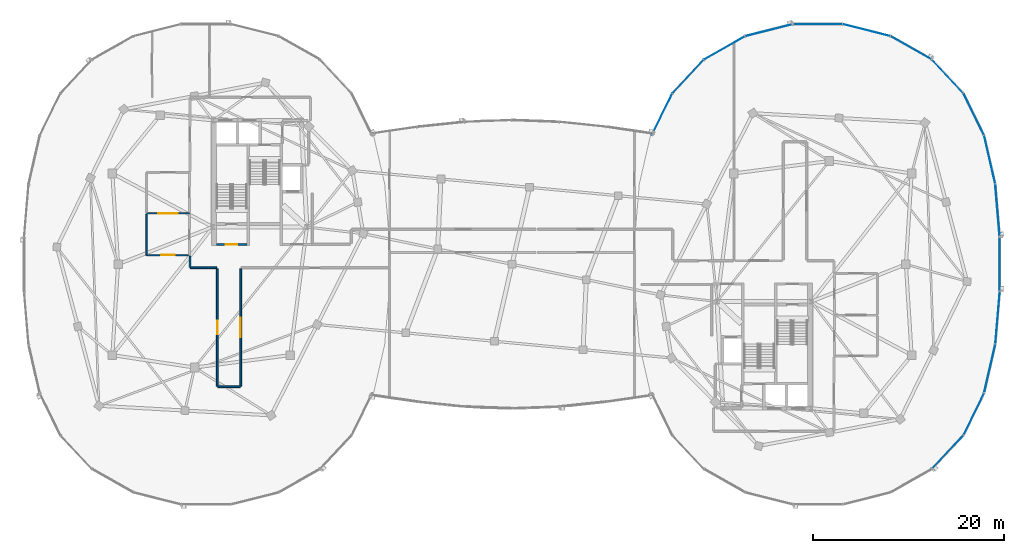
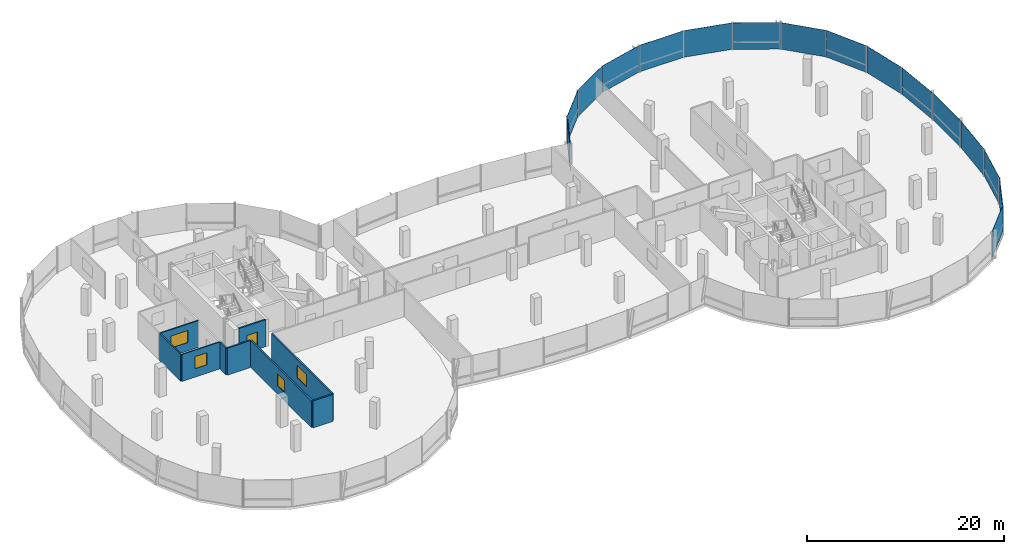
# One storey, part 13 of 25: 16 plates, 9 walls, 4 windows, 1 door, 5 openings, 3 elements without a shape of their own.
"""IFC4 building model written with IfcOpenShell, lengths in metres."""

from ifc_helpers import new_model, si_unit, direction, frame, frame_2d, origin, origin_2d, place, context, subcontext, project, spatial, rectangle, extrude, material, layer, layer_set, type_object, element, fill, aggregate, save


model = new_model("IFC4")

# Units and contexts
model_context = context("Model", 3, precision=1e-05, world=origin(), true_north=direction((0.0, 1.0)))
body_context = subcontext(model_context, "Body", "Model", "MODEL_VIEW")
ifc_project = project(units=[si_unit("LENGTHUNIT", "METRE"), si_unit("AREAUNIT", "SQUARE_METRE"), si_unit("VOLUMEUNIT", "CUBIC_METRE"), si_unit("PLANEANGLEUNIT", "RADIAN"), si_unit("MASSUNIT", "GRAM", prefix="KILO"), si_unit("THERMODYNAMICTEMPERATUREUNIT", "KELVIN"), si_unit("POWERUNIT", "WATT")], contexts=[model_context])

# Site, building, storey
site_placement = place(None, origin())
site = spatial("IfcSite", under=ifc_project, at=site_placement, CompositionType="ELEMENT")
building_placement = place(site_placement, origin())
building = spatial("IfcBuilding", under=site, at=building_placement, Name="Cundina Bronze Exchange", CompositionType="ELEMENT")
storey_placement = place(building_placement, frame((0.0, 0.0, 272.0)))
storey = spatial("IfcBuildingStorey", under=building, at=storey_placement, Name="L72", CompositionType="ELEMENT", Elevation=272.0)

# Curtain wall, plates
ifc_material_1 = material(Name="Anodised Bronze Aluminium 6063-T6", Category="aluminium")
curtain_wall_type = type_object("IfcCurtainWallType", Name="CWS-SKG-BRG", PredefinedType="NOTDEFINED", material=ifc_material_1)
curtain_wall_1_placement = place(storey_placement, origin())
curtain_wall_1 = element("IfcCurtainWall", 1, at=curtain_wall_1_placement, inside=storey, type_object=curtain_wall_type, Name="L72 CW-06 Curtain Wall Run CWR-L72-E1", PredefinedType="NOTDEFINED")
ifc_material_2 = material(Name="Heat-Strengthened Solar-Control Bronze Safety Glass 28mm", Category="glass")
ifc_layer_1 = layer(ifc_material_2, 0.028076171875, Name="Heat-Strengthened Solar-Control Bronze Safety Glass 28mm", Category="glass")
ifc_layer_set_1 = layer_set([ifc_layer_1], Name="Heat-Strengthened Solar-Control Bronze Safety Glass 28mm")
plate_type_1 = type_object("IfcPlateType", Name="PLT-GLZ-VIS28", PredefinedType="CURTAIN_PANEL", material=ifc_layer_set_1)
plate_1_placement = place(storey_placement, frame((50.78662109375, 5.605712890625, 0.02001953125), z_axis=(0.0, 0.0, 1.0), x_axis=(-0.083747411454, 0.996487015006, 0.0)))
plate_1 = element("IfcPlate", 2, at=plate_1_placement, type_object=plate_type_1, Name="CW-06 Glazed Panel 1", PredefinedType="CURTAIN_PANEL", context=body_context, shape_type="SweptSolid", body=[
    extrude(rectangle(XDim=5.474609375, YDim=0.028076171875, at=origin_2d()), origin(), (0.0, 0.0, 1.0), 3.300048828125),
])
plate_2_placement = place(storey_placement, frame((49.96923828125, 10.922607421875, 0.02001953125), z_axis=(0.0, 0.0, 1.0), x_axis=(-0.223284141459, 0.974753400698, 0.0)))
plate_2 = element("IfcPlate", 3, at=plate_2_placement, type_object=plate_type_1, Name="CW-06 Glazed Panel 2", PredefinedType="CURTAIN_PANEL", context=body_context, shape_type="SweptSolid", body=[
    extrude(rectangle(XDim=5.167724609375, YDim=0.028076171875, at=origin_2d()), origin(), (0.0, 0.0, 1.0), 3.300048828125),
])
plate_3_placement = place(storey_placement, frame((45.568115234375, 19.64501953125, 0.02001953125), z_axis=(0.0, 0.0, 1.0), x_axis=(-0.684343512797, 0.72915976061, 0.0)))
plate_3 = element("IfcPlate", 4, at=plate_3_placement, type_object=plate_type_1, Name="CW-06 Glazed Panel 4", PredefinedType="CURTAIN_PANEL", context=body_context, shape_type="SweptSolid", body=[
    extrude(rectangle(XDim=4.773193359375, YDim=0.028076171875, at=origin_2d()), origin(), (0.0, 0.0, 1.0), 3.300048828125),
])
plate_4_placement = place(storey_placement, frame((41.76171875, 22.6279296875, 0.02001953125), z_axis=(0.0, 0.0, 1.0), x_axis=(-0.869572506985, 0.493805280547, 0.0)))
plate_4 = element("IfcPlate", 5, at=plate_4_placement, type_object=plate_type_1, Name="CW-06 Glazed Panel 5", PredefinedType="CURTAIN_PANEL", context=body_context, shape_type="SweptSolid", body=[
    extrude(rectangle(XDim=4.907958984375, YDim=0.028076171875, at=origin_2d()), origin(), (0.0, 0.0, 1.0), 3.300048828125),
])
plate_5_placement = place(storey_placement, frame((37.109375, 24.4814453125, 0.02001953125), z_axis=(0.0, 0.0, 1.0), x_axis=(-0.969731542251, 0.244173577528, 0.0)))
plate_5 = element("IfcPlate", 6, at=plate_5_placement, type_object=plate_type_1, Name="CW-06 Glazed Panel 6", PredefinedType="CURTAIN_PANEL", context=body_context, shape_type="SweptSolid", body=[
    extrude(rectangle(XDim=5.0908203125, YDim=0.028076171875, at=origin_2d()), origin(), (0.0, 0.0, 1.0), 3.300048828125),
])
plate_6_placement = place(storey_placement, frame((32.0, 25.110107421875, 0.02001953125), z_axis=(0.0, 0.0, 1.0), x_axis=(-1.0, 0.0, 0.0)))
plate_6 = element("IfcPlate", 7, at=plate_6_placement, type_object=plate_type_1, Name="CW-06 Glazed Panel 7", PredefinedType="CURTAIN_PANEL", context=body_context, shape_type="SweptSolid", body=[
    extrude(rectangle(XDim=5.16796875, YDim=0.028076171875, at=origin_2d()), origin(), (0.0, 0.0, 1.0), 3.300048828125),
])

curtain_wall_2_placement = place(storey_placement, origin())
curtain_wall_2 = element("IfcCurtainWall", 8, at=curtain_wall_2_placement, inside=storey, type_object=curtain_wall_type, Name="L72 CW-06 Curtain Wall Run CWR-L72-E2", PredefinedType="NOTDEFINED")
plate_7_placement = place(storey_placement, frame((26.890625, 24.4814453125, 0.02001953125), z_axis=(0.0, 0.0, 1.0), x_axis=(-0.969731542251, -0.244173577528, 0.0)))
plate_7 = element("IfcPlate", 9, at=plate_7_placement, type_object=plate_type_1, Name="CW-06 Glazed Panel 1", PredefinedType="CURTAIN_PANEL", context=body_context, shape_type="SweptSolid", body=[
    extrude(rectangle(XDim=5.0908203125, YDim=0.028076171875, at=origin_2d()), origin(), (0.0, 0.0, 1.0), 3.300048828125),
])
plate_8_placement = place(storey_placement, frame((18.431884765625, 19.64501953125, 0.02001953125), z_axis=(0.0, 0.0, 1.0), x_axis=(-0.684343512797, -0.72915976061, 0.0)))
plate_8 = element("IfcPlate", 10, at=plate_8_placement, type_object=plate_type_1, Name="CW-06 Glazed Panel 3", PredefinedType="CURTAIN_PANEL", context=body_context, shape_type="SweptSolid", body=[
    extrude(rectangle(XDim=4.773193359375, YDim=0.028076171875, at=origin_2d()), origin(), (0.0, 0.0, 1.0), 3.300048828125),
])
plate_9_placement = place(storey_placement, frame((15.69873046875, 15.68017578125, 0.02001953125), z_axis=(0.0, 0.0, 1.0), x_axis=(-0.440503330345, -0.897750976582, 0.0)))
plate_9 = element("IfcPlate", 11, at=plate_9_placement, type_object=plate_type_1, Name="CW-06 Glazed Panel 4", PredefinedType="CURTAIN_PANEL", context=body_context, shape_type="SweptSolid", body=[
    extrude(rectangle(XDim=4.863525390625, YDim=0.028076171875, at=origin_2d()), origin(), (0.0, 0.0, 1.0), 3.300048828125),
])

curtain_wall_3_placement = place(storey_placement, origin())
curtain_wall_3 = element("IfcCurtainWall", 12, at=curtain_wall_3_placement, inside=storey, type_object=curtain_wall_type, Name="L72 CW-06 Curtain Wall Run CWR-L72-E4", PredefinedType="NOTDEFINED")
plate_10_placement = place(storey_placement, frame((45.568115234375, -19.64501953125, 0.02001953125), z_axis=(0.0, 0.0, 1.0), x_axis=(0.684343512797, 0.72915976061, 0.0)))
plate_10 = element("IfcPlate", 13, at=plate_10_placement, type_object=plate_type_1, Name="CW-06 Glazed Panel 1", PredefinedType="CURTAIN_PANEL", context=body_context, shape_type="SweptSolid", body=[
    extrude(rectangle(XDim=4.773193359375, YDim=0.028076171875, at=origin_2d()), origin(), (0.0, 0.0, 1.0), 3.300048828125),
])
plate_11_placement = place(storey_placement, frame((48.30126953125, -15.68017578125, 0.02001953125), z_axis=(0.0, 0.0, 1.0), x_axis=(0.440503330345, 0.897750976582, 0.0)))
plate_11 = element("IfcPlate", 14, at=plate_11_placement, type_object=plate_type_1, Name="CW-06 Glazed Panel 2", PredefinedType="CURTAIN_PANEL", context=body_context, shape_type="SweptSolid", body=[
    extrude(rectangle(XDim=4.863525390625, YDim=0.028076171875, at=origin_2d()), origin(), (0.0, 0.0, 1.0), 3.300048828125),
])
plate_12_placement = place(storey_placement, frame((49.96923828125, -10.922607421875, 0.02001953125), z_axis=(0.0, 0.0, 1.0), x_axis=(0.223284141459, 0.974753400698, 0.0)))
plate_12 = element("IfcPlate", 15, at=plate_12_placement, type_object=plate_type_1, Name="CW-06 Glazed Panel 3", PredefinedType="CURTAIN_PANEL", context=body_context, shape_type="SweptSolid", body=[
    extrude(rectangle(XDim=5.167724609375, YDim=0.028076171875, at=origin_2d()), origin(), (0.0, 0.0, 1.0), 3.300048828125),
])
plate_13_placement = place(storey_placement, frame((50.78662109375, -5.605712890625, 0.02001953125), z_axis=(0.0, 0.0, 1.0), x_axis=(0.083747411454, 0.996487015006, 0.0)))
plate_13 = element("IfcPlate", 16, at=plate_13_placement, type_object=plate_type_1, Name="CW-06 Glazed Panel 4", PredefinedType="CURTAIN_PANEL", context=body_context, shape_type="SweptSolid", body=[
    extrude(rectangle(XDim=5.474609375, YDim=0.028076171875, at=origin_2d()), origin(), (0.0, 0.0, 1.0), 3.300048828125),
])

# Plate
ifc_material_3 = material(Name="Dark Bronze Spandrel Glass Panel 32mm", Category="glass")
ifc_layer_2 = layer(ifc_material_3, 0.031982421875, Name="Dark Bronze Spandrel Glass Panel 32mm", Category="glass")
ifc_layer_set_2 = layer_set([ifc_layer_2], Name="Dark Bronze Spandrel Glass Panel 32mm")
plate_type_2 = type_object("IfcPlateType", Name="PLT-SPN-BRZ32", PredefinedType="CURTAIN_PANEL", material=ifc_layer_set_2)
plate_14_placement = place(storey_placement, frame((48.30126953125, 15.68017578125, 0.02001953125), z_axis=(0.0, 0.0, 1.0), x_axis=(-0.440503330345, 0.897750976582, 0.0)))
plate_14 = element("IfcPlate", 17, at=plate_14_placement, type_object=plate_type_2, Name="CW-06 Glazed Panel 3", PredefinedType="CURTAIN_PANEL", context=body_context, shape_type="SweptSolid", body=[
    extrude(rectangle(XDim=4.863525390625, YDim=0.031982421875, at=origin_2d()), origin(), (0.0, 0.0, 1.0), 3.300048828125),
])

aggregate(curtain_wall_1, [plate_1, plate_2, plate_14, plate_3, plate_4, plate_5, plate_6])

plate_15_placement = place(storey_placement, frame((22.23828125, 22.6279296875, 0.02001953125), z_axis=(0.0, 0.0, 1.0), x_axis=(-0.869572506985, -0.493805280547, 0.0)))
plate_15 = element("IfcPlate", 18, at=plate_15_placement, type_object=plate_type_2, Name="CW-06 Glazed Panel 2", PredefinedType="CURTAIN_PANEL", context=body_context, shape_type="SweptSolid", body=[
    extrude(rectangle(XDim=4.907958984375, YDim=0.031982421875, at=origin_2d()), origin(), (0.0, 0.0, 1.0), 3.300048828125),
])

aggregate(curtain_wall_2, [plate_7, plate_15, plate_8, plate_9])

plate_16_placement = place(storey_placement, frame((51.01904296875, 0.0, 0.02001953125), z_axis=(0.0, 0.0, 1.0), x_axis=(0.0, 1.0, 0.0)))
plate_16 = element("IfcPlate", 19, at=plate_16_placement, type_object=plate_type_2, Name="CW-06 Glazed Panel 5", PredefinedType="CURTAIN_PANEL", context=body_context, shape_type="SweptSolid", body=[
    extrude(rectangle(XDim=5.597900390625, YDim=0.031982421875, at=origin_2d()), origin(), (0.0, 0.0, 1.0), 3.300048828125),
])

aggregate(curtain_wall_3, [plate_10, plate_11, plate_12, plate_13, plate_16])

# Wall, opening, door
ifc_material_4 = material(Name="Gypsum Fireboard Partition EI120")
ifc_layer_3 = layer(ifc_material_4, 0.179931640625, Name="Gypsum Fireboard Partition EI120")
ifc_layer_set_3 = layer_set([ifc_layer_3], Name="Gypsum Fireboard Partition EI120")
wall_type_1 = type_object("IfcWallType", Name="WL-COR-180", PredefinedType="PARTITIONING", material=ifc_layer_set_3)
wall_1_placement = place(storey_placement, frame((-30.89990234375, 2.06005859375, 0.0), z_axis=(0.0, 0.0, 1.0), x_axis=(1.0, 0.0, 0.0)))
wall_1 = element("IfcWall", 20, at=wall_1_placement, inside=storey, type_object=wall_type_1, Name="L72 W Stair Vestibule Exit Wall", PredefinedType="PARTITIONING", context=body_context, shape_type="SweptSolid", body=[
    extrude(rectangle(XDim=3.159912109375, YDim=0.179931640625, at=frame_2d((1.580078125, 0.0))), origin(), (0.0, 0.0, 1.0), 3.340087890625),
])
opening_1_placement = place(wall_1_placement, frame((0.97998046875, 0.0, 0.0)))
opening_1 = element("IfcOpeningElement", 21, at=opening_1_placement, cuts=wall_1, Name="Opening DF-01", PredefinedType="OPENING", context=body_context, shape_type="SweptSolid", body=[
    extrude(rectangle(XDim=1.199951171875, YDim=2.14990234375, at=frame_2d((0.60009765625, 1.074951171875))), frame((0.0, 0.099853515625, 0.0), z_axis=(0.0, -1.0, 0.0), x_axis=(1.0, 0.0, 0.0)), (0.0, 0.0, 1.0), 0.199951171875),
])
ifc_material_5 = material(Name="Steel ASTM A36 Painted", Category="steel")
door_type = type_object("IfcDoorType", Name="DR-FFL-1200", OperationType="NOTDEFINED", PredefinedType="DOOR", material=ifc_material_5)
door_placement = place(opening_1_placement, origin())
door = element("IfcDoor", 22, at=door_placement, inside=storey, type_object=door_type, Name="L72 W Stair Vestibule Door", OperationType="SINGLE_SWING_LEFT", OverallHeight=2.14990234375, OverallWidth=1.199951171875, PredefinedType="DOOR", context=body_context, shape_type="SweptSolid", body=[
    extrude(rectangle(XDim=1.199951171875, YDim=2.14990234375, at=frame_2d((0.60009765625, 1.074951171875))), frame((0.0, 0.02490234375, 0.0), z_axis=(0.0, -1.0, 0.0), x_axis=(1.0, 0.0, 0.0)), (0.0, 0.0, 1.0), 0.050048828125),
])
fill(opening_1, door)

# Wall, opening, window
wall_2_placement = place(storey_placement, frame((-30.820068359375, -0.449951171875, 0.0), z_axis=(0.0, 0.0, 1.0), x_axis=(0.0, -1.0, 0.0)))
wall_2 = element("IfcWall", 23, at=wall_2_placement, inside=storey, type_object=wall_type_1, Name="L72 Interior Partition 015", PredefinedType="PARTITIONING", context=body_context, shape_type="SweptSolid", body=[
    extrude(rectangle(XDim=12.32861328125, YDim=0.179931640625, at=frame_2d((6.164306640625, 0.0))), origin(), (0.0, 0.0, 1.0), 3.340087890625),
])
opening_2_placement = place(wall_2_placement, frame((5.464111328125, 0.0, 1.050048828125)))
opening_2 = element("IfcOpeningElement", 24, at=opening_2_placement, cuts=wall_2, Name="Opening WI-02", PredefinedType="OPENING", context=body_context, shape_type="SweptSolid", body=[
    extrude(rectangle(XDim=1.39990234375, YDim=1.5, at=frame_2d((0.699951171875, 0.75))), frame((0.0, 0.099853515625, 0.0), z_axis=(0.0, -1.0, 0.0), x_axis=(1.0, 0.0, 0.0)), (0.0, 0.0, 1.0), 0.199951171875),
])
ifc_material_6 = material(Name="Clear Low-E Insulating Glass 26mm", Category="glass")
window_type_1 = type_object("IfcWindowType", Name="WN-INT-1400", PartitioningType="SINGLE_PANEL", PredefinedType="WINDOW", material=ifc_material_6)
window_1_placement = place(opening_2_placement, origin())
window_1 = element("IfcWindow", 25, at=window_1_placement, inside=storey, type_object=window_type_1, Name="L72 Interior Acoustic Vision Window 015", OverallHeight=1.5, OverallWidth=1.39990234375, PartitioningType="SINGLE_PANEL", PredefinedType="WINDOW", context=body_context, shape_type="SweptSolid", body=[
    extrude(rectangle(XDim=1.39990234375, YDim=1.5, at=frame_2d((0.699951171875, 0.75))), frame((0.0, 0.030029296875, 0.0), z_axis=(0.0, -1.0, 0.0), x_axis=(1.0, 0.0, 0.0)), (0.0, 0.0, 1.0), 0.06005859375),
])
fill(opening_2, window_1)

wall_3_placement = place(storey_placement, frame((-28.3798828125, -12.778564453125, 0.0), z_axis=(0.0, 0.0, 1.0), x_axis=(0.0, 1.0, 0.0)))
wall_3 = element("IfcWall", 26, at=wall_3_placement, inside=storey, type_object=wall_type_1, Name="L72 Interior Partition 016", PredefinedType="PARTITIONING", context=body_context, shape_type="SweptSolid", body=[
    extrude(rectangle(XDim=12.32861328125, YDim=0.179931640625, at=frame_2d((6.164306640625, 0.0))), origin(), (0.0, 0.0, 1.0), 3.340087890625),
])
opening_3_placement = place(wall_3_placement, frame((5.1640625, 0.0, 1.050048828125)))
opening_3 = element("IfcOpeningElement", 27, at=opening_3_placement, cuts=wall_3, Name="Opening WI-01", PredefinedType="OPENING", context=body_context, shape_type="SweptSolid", body=[
    extrude(rectangle(XDim=2.0, YDim=1.5, at=frame_2d((1.0, 0.75))), frame((0.0, 0.099853515625, 0.0), z_axis=(0.0, -1.0, 0.0), x_axis=(1.0, 0.0, 0.0)), (0.0, 0.0, 1.0), 0.199951171875),
])
window_type_2 = type_object("IfcWindowType", Name="WN-INT-2000", PartitioningType="SINGLE_PANEL", PredefinedType="WINDOW", material=ifc_material_6)
window_2_placement = place(opening_3_placement, origin())
window_2 = element("IfcWindow", 28, at=window_2_placement, inside=storey, type_object=window_type_2, Name="L72 Interior Acoustic Vision Window 016", OverallHeight=1.5, OverallWidth=2.0, PartitioningType="SINGLE_PANEL", PredefinedType="WINDOW", context=body_context, shape_type="SweptSolid", body=[
    extrude(rectangle(XDim=2.0, YDim=1.5, at=frame_2d((1.0, 0.75))), frame((0.0, 0.030029296875, 0.0), z_axis=(0.0, -1.0, 0.0), x_axis=(1.0, 0.0, 0.0)), (0.0, 0.0, 1.0), 0.06005859375),
])
fill(opening_3, window_2)

# Walls
wall_4_placement = place(storey_placement, frame((-33.62841796875, -0.3701171875, 0.0), z_axis=(0.0, 0.0, 1.0), x_axis=(1.0, 0.0, 0.0)))
element("IfcWall", 29, at=wall_4_placement, inside=storey, type_object=wall_type_1, Name="L72 Interior Partition 018", PredefinedType="PARTITIONING", context=body_context, shape_type="SweptSolid", body=[
    extrude(rectangle(XDim=2.728515625, YDim=0.179931640625, at=frame_2d((1.3642578125, 0.0))), origin(), (0.0, 0.0, 1.0), 3.340087890625),
])
wall_5_placement = place(storey_placement, frame((-30.778564453125, -12.820068359375, 0.0), z_axis=(0.0, 0.0, 1.0), x_axis=(1.0, 0.0, 0.0)))
element("IfcWall", 30, at=wall_5_placement, inside=storey, type_object=wall_type_1, Name="L72 Interior Partition 019", PredefinedType="PARTITIONING", context=body_context, shape_type="SweptSolid", body=[
    extrude(rectangle(XDim=2.357177734375, YDim=0.179931640625, at=frame_2d((1.1787109375, 0.0))), origin(), (0.0, 0.0, 1.0), 3.340087890625),
])
wall_6_placement = place(storey_placement, frame((-33.669921875, 0.858642578125, 0.0), z_axis=(0.0, 0.0, 1.0), x_axis=(0.0, -1.0, 0.0)))
element("IfcWall", 31, at=wall_6_placement, inside=storey, type_object=wall_type_1, Name="L72 Interior Partition 021", PredefinedType="PARTITIONING", context=body_context, shape_type="SweptSolid", body=[
    extrude(rectangle(XDim=1.187255859375, YDim=0.179931640625, at=frame_2d((0.59375, 0.0))), origin(), (0.0, 0.0, 1.0), 3.340087890625),
])
ifc_material_7 = material(Name="Moisture-Resistant Masonry Block Grade M15", Category="masonry")
ifc_layer_4 = layer(ifc_material_7, 0.139892578125, Name="Moisture-Resistant Masonry Block Grade M15", Category="masonry")
ifc_layer_set_4 = layer_set([ifc_layer_4], Name="Moisture-Resistant Masonry Block Grade M15")
wall_type_2 = type_object("IfcWallType", Name="WL-WET-140", PredefinedType="PARTITIONING", material=ifc_layer_set_4)
wall_7_placement = place(storey_placement, frame((-38.239990234375, 0.969970703125, 0.0), z_axis=(0.0, 0.0, 1.0), x_axis=(0.0, 1.0, 0.0)))
element("IfcWall", 32, at=wall_7_placement, inside=storey, type_object=wall_type_2, Name="L72 Interior Partition 005", PredefinedType="PARTITIONING", context=body_context, shape_type="SweptSolid", body=[
    extrude(rectangle(XDim=4.275146484375, YDim=0.139892578125, at=frame_2d((2.1376953125, 0.0))), origin(), (0.0, 0.0, 1.0), 3.340087890625),
])

# Wall, opening, window
wall_8_placement = place(storey_placement, frame((-38.219970703125, 0.949951171875, 0.0), z_axis=(0.0, 0.0, 1.0), x_axis=(1.0, 0.0, 0.0)))
wall_8 = element("IfcWall", 33, at=wall_8_placement, inside=storey, type_object=wall_type_2, Name="L72 Interior Partition 007", PredefinedType="PARTITIONING", context=body_context, shape_type="SweptSolid", body=[
    extrude(rectangle(XDim=4.47998046875, YDim=0.139892578125, at=frame_2d((2.239990234375, 0.0))), origin(), (0.0, 0.0, 1.0), 3.340087890625),
])
opening_4_placement = place(wall_8_placement, frame((1.5400390625, 0.0, 1.050048828125)))
opening_4 = element("IfcOpeningElement", 34, at=opening_4_placement, cuts=wall_8, Name="Opening WI-02", PredefinedType="OPENING", context=body_context, shape_type="SweptSolid", body=[
    extrude(rectangle(XDim=1.39990234375, YDim=1.5, at=frame_2d((0.699951171875, 0.75))), frame((0.0, 0.079833984375, 0.0), z_axis=(0.0, -1.0, 0.0), x_axis=(1.0, 0.0, 0.0)), (0.0, 0.0, 1.0), 0.159912109375),
])
window_3_placement = place(opening_4_placement, origin())
window_3 = element("IfcWindow", 35, at=window_3_placement, inside=storey, type_object=window_type_1, Name="L72 Interior Acoustic Vision Window 007", OverallHeight=1.5, OverallWidth=1.39990234375, PartitioningType="SINGLE_PANEL", PredefinedType="WINDOW", context=body_context, shape_type="SweptSolid", body=[
    extrude(rectangle(XDim=1.39990234375, YDim=1.5, at=frame_2d((0.699951171875, 0.75))), frame((0.0, 0.030029296875, 0.0), z_axis=(0.0, -1.0, 0.0), x_axis=(1.0, 0.0, 0.0)), (0.0, 0.0, 1.0), 0.06005859375),
])
fill(opening_4, window_3)

wall_9_placement = place(storey_placement, frame((-38.219970703125, 5.330078125, 0.0), z_axis=(0.0, 0.0, 1.0), x_axis=(1.0, 0.0, 0.0)))
wall_9 = element("IfcWall", 36, at=wall_9_placement, inside=storey, type_object=wall_type_2, Name="L72 Interior Partition 008", PredefinedType="PARTITIONING", context=body_context, shape_type="SweptSolid", body=[
    extrude(rectangle(XDim=4.47998046875, YDim=0.139892578125, at=frame_2d((2.239990234375, 0.0))), origin(), (0.0, 0.0, 1.0), 3.340087890625),
])
opening_5_placement = place(wall_9_placement, frame((1.239990234375, 0.0, 1.050048828125)))
opening_5 = element("IfcOpeningElement", 37, at=opening_5_placement, cuts=wall_9, Name="Opening WI-01", PredefinedType="OPENING", context=body_context, shape_type="SweptSolid", body=[
    extrude(rectangle(XDim=2.0, YDim=1.5, at=frame_2d((1.0, 0.75))), frame((0.0, 0.079833984375, 0.0), z_axis=(0.0, -1.0, 0.0), x_axis=(1.0, 0.0, 0.0)), (0.0, 0.0, 1.0), 0.159912109375),
])
window_4_placement = place(opening_5_placement, origin())
window_4 = element("IfcWindow", 38, at=window_4_placement, inside=storey, type_object=window_type_2, Name="L72 Interior Acoustic Vision Window 008", OverallHeight=1.5, OverallWidth=2.0, PartitioningType="SINGLE_PANEL", PredefinedType="WINDOW", context=body_context, shape_type="SweptSolid", body=[
    extrude(rectangle(XDim=2.0, YDim=1.5, at=frame_2d((1.0, 0.75))), frame((0.0, 0.030029296875, 0.0), z_axis=(0.0, -1.0, 0.0), x_axis=(1.0, 0.0, 0.0)), (0.0, 0.0, 1.0), 0.06005859375),
])
fill(opening_5, window_4)

save(model, "model.ifc")
